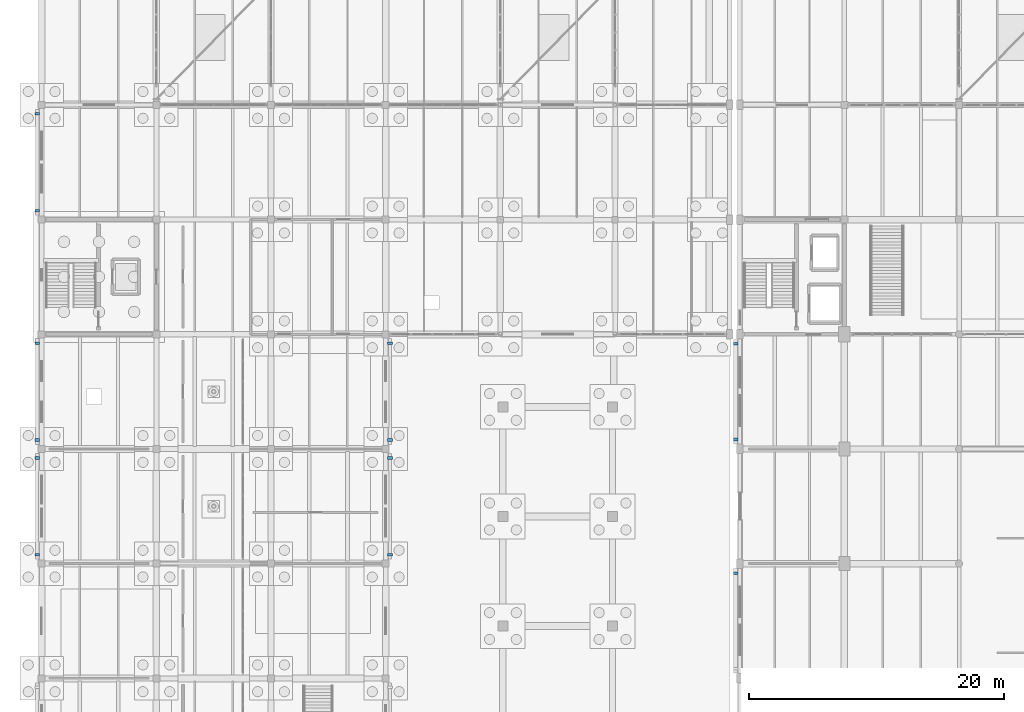
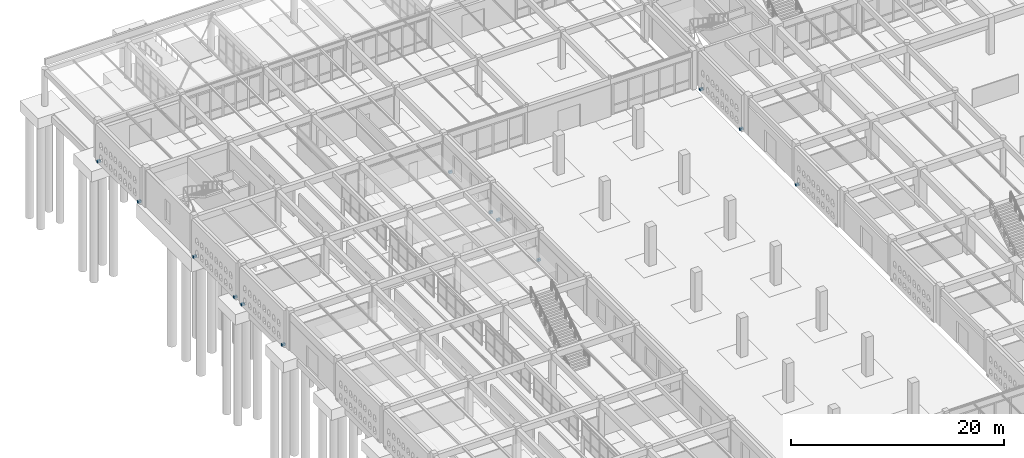
# One storey, part 175 of 186: 13 discrete accessories.
"""IFC4 building model written with IfcOpenShell, lengths in metres."""

from ifc_helpers import new_model, si_unit, direction, frame, origin, origin_2d, place, context, subcontext, project, spatial, rectangle, extrude, material, type_object, element, save


model = new_model("IFC4")

# Units and contexts
model_context = context("Model", 3, precision=1e-05, world=origin(), true_north=direction((0.0, 1.0)))
body_context = subcontext(model_context, "Body", "Model", "MODEL_VIEW")
ifc_project = project(units=[si_unit("LENGTHUNIT", "METRE"), si_unit("AREAUNIT", "SQUARE_METRE"), si_unit("VOLUMEUNIT", "CUBIC_METRE"), si_unit("PLANEANGLEUNIT", "RADIAN"), si_unit("MASSUNIT", "GRAM", prefix="KILO")], contexts=[model_context])

# Site, building, storey
site_placement = place(None, origin())
site = spatial("IfcSite", under=ifc_project, at=site_placement, CompositionType="ELEMENT")
building_placement = place(site_placement, origin())
building = spatial("IfcBuilding", under=site, at=building_placement, Name="Ornek Quay Market", CompositionType="ELEMENT")
storey_placement = place(building_placement, origin())
storey = spatial("IfcBuildingStorey", under=building, at=storey_placement, Name="L00", CompositionType="ELEMENT", Elevation=0.0)

# Discrete accessories
ifc_material = material(Name="Stainless steel 316", Category="steel")
discrete_accessory_type = type_object("IfcDiscreteAccessoryType", Name="ACC-BRK-SCREEN-250", PredefinedType="BRACKET", material=ifc_material)
for number, where, z_axis, x_axis, name in (
    (1, (-0.340087890625, 74.699951171875, 0.0), (0.0, 0.0, 1.0), (0.0, 1.0, 0.0), "Masonry screen bracket BRK-007"),
    (2, (-0.340087890625, 82.300048828125, 0.0), (0.0, 0.0, 1.0), (0.0, 1.0, 0.0), "Masonry screen bracket BRK-008"),
    (3, (-0.340087890625, 83.699951171875, 0.0), (0.0, 0.0, 1.0), (0.0, 1.0, 0.0), "Masonry screen bracket BRK-009"),
    (4, (-0.340087890625, 91.300048828125, 0.0), (0.0, 0.0, 1.0), (0.0, 1.0, 0.0), "Masonry screen bracket BRK-010"),
    (5, (-0.340087890625, 101.699951171875, 0.0), (0.0, 0.0, 1.0), (0.0, 1.0, 0.0), "Masonry screen bracket BRK-011"),
    (6, (-0.340087890625, 109.300048828125, 0.0), (0.0, 0.0, 1.0), (0.0, 1.0, 0.0), "Masonry screen bracket BRK-012"),
    (7, (27.340087890625, 74.699951171875, 0.0), (0.0, 0.0, 1.0), (0.0, 1.0, 0.0), "Masonry screen bracket BRK-019"),
    (8, (27.340087890625, 82.300048828125, 0.0), (0.0, 0.0, 1.0), (0.0, 1.0, 0.0), "Masonry screen bracket BRK-020"),
    (9, (27.340087890625, 83.699951171875, 0.0), (0.0, 0.0, 1.0), (0.0, 1.0, 0.0), "Masonry screen bracket BRK-021"),
    (10, (27.340087890625, 91.300048828125, 0.0), (0.0, 0.0, 1.0), (0.0, 1.0, 0.0), "Masonry screen bracket BRK-022"),
    (11, (54.4599609375, 73.25, 0.0), (0.0, 0.0, 1.0), (0.0, 1.0, 0.0), "Masonry screen bracket BRK-074"),
    (12, (54.4599609375, 83.75, 0.0), (0.0, 0.0, 1.0), (0.0, 1.0, 0.0), "Masonry screen bracket BRK-075"),
    (13, (54.4599609375, 91.25, 0.0), (0.0, 0.0, 1.0), (0.0, 1.0, 0.0), "Masonry screen bracket BRK-076"),
):
    element("IfcDiscreteAccessory", number, at=place(storey_placement, frame(where, z_axis=z_axis, x_axis=x_axis)), inside=storey, type_object=discrete_accessory_type, Name=name, PredefinedType="BRACKET", context=body_context, shape_type="SweptSolid", body=[
        extrude(rectangle(XDim=0.219970703125, YDim=0.360107421875, at=origin_2d()), origin(), (0.0, 0.0, 1.0), 0.260009765625),
    ])

save(model, "model.ifc")
